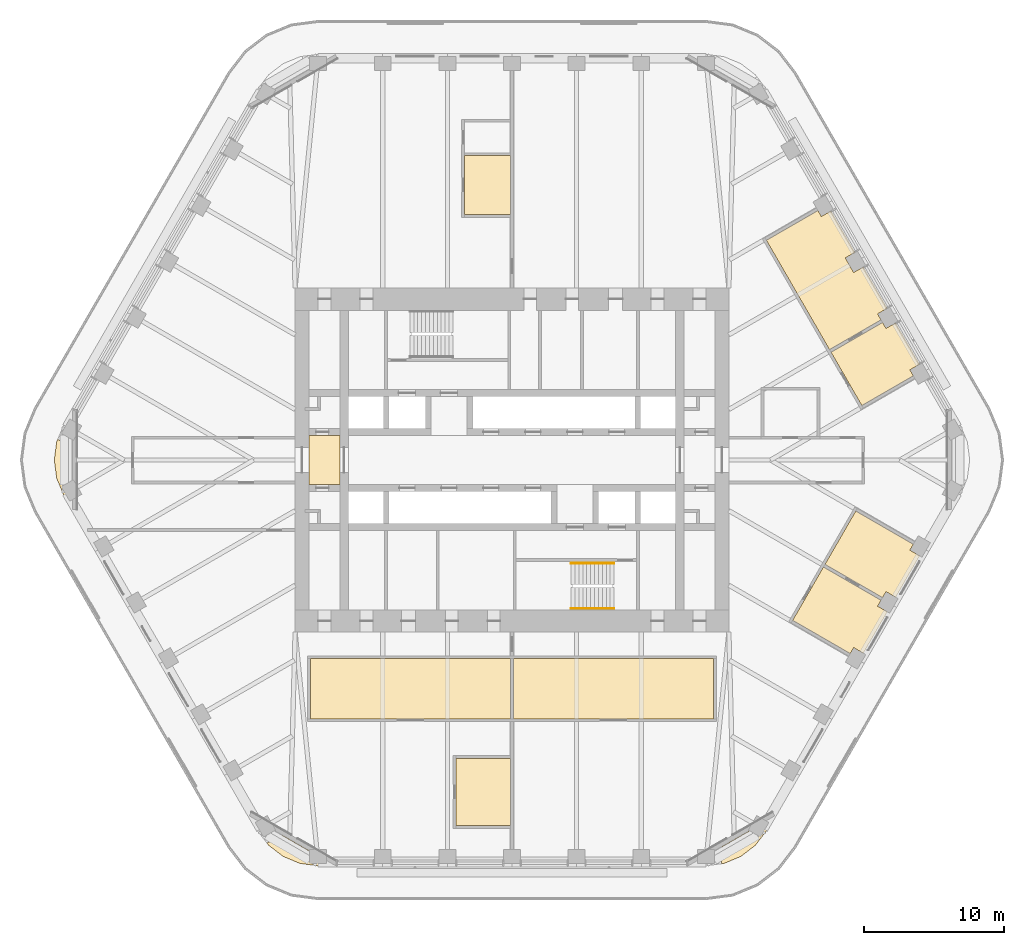
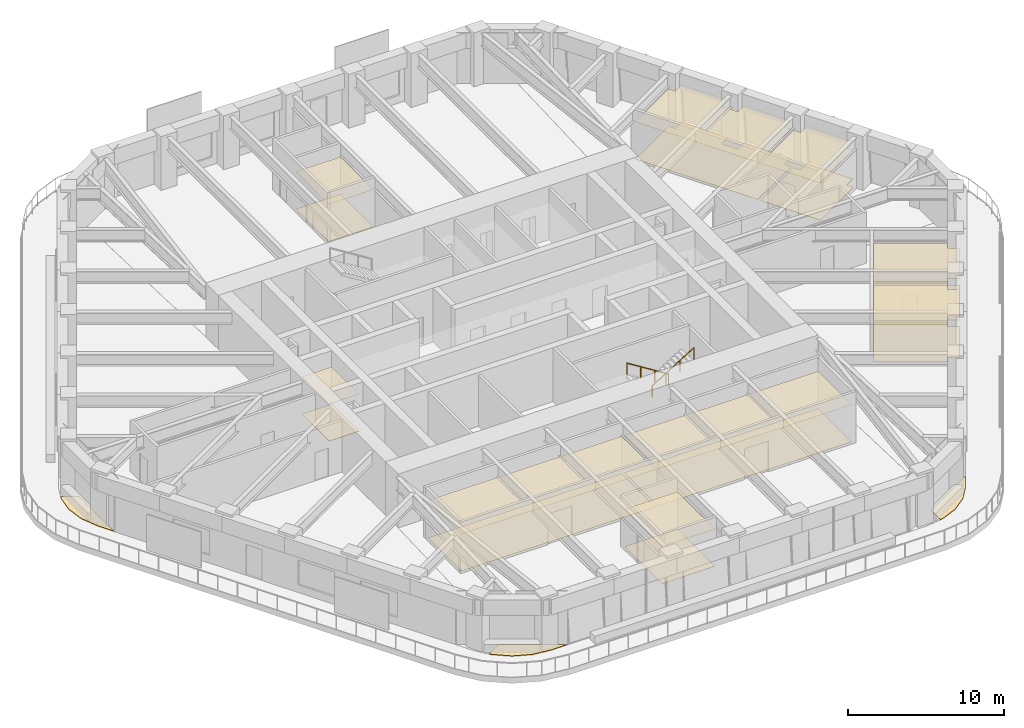
# One storey, part 18 of 20: 7 coverings, 2 railings.
"""IFC4 building model written with IfcOpenShell, lengths in metres."""

from ifc_helpers import new_model, si_unit, direction, frame, origin, origin_2d, place, context, subcontext, project, spatial, polyline, circle, outline, extrude, material, layer, layer_set, type_object, element, save


model = new_model("IFC4")

# Units and contexts
model_context = context("Model", 3, precision=1e-05, world=origin(), true_north=direction((0.0, 1.0)))
body_context = subcontext(model_context, "Body", "Model", "MODEL_VIEW")
ifc_project = project(units=[si_unit("LENGTHUNIT", "METRE"), si_unit("AREAUNIT", "SQUARE_METRE"), si_unit("VOLUMEUNIT", "CUBIC_METRE"), si_unit("PLANEANGLEUNIT", "RADIAN"), si_unit("MASSUNIT", "GRAM", prefix="KILO")], contexts=[model_context])

# Site, building, storey
site_placement = place(None, origin())
site = spatial("IfcSite", under=ifc_project, at=site_placement, CompositionType="ELEMENT")
building_placement = place(site_placement, origin())
building = spatial("IfcBuilding", under=site, at=building_placement, Name="Tarfa Lantern Tower", CompositionType="ELEMENT")
storey_placement = place(building_placement, frame((0.0, 0.0, 265.89990234375)))
storey = spatial("IfcBuildingStorey", under=building, at=storey_placement, Name="L60", CompositionType="ELEMENT", Elevation=265.89990234375)

# Coverings
ifc_material_1 = material(Name="Mineral fibre acoustic tile on suspension grid", Category="finish")
ifc_layer_1 = layer(ifc_material_1, 0.02001953125)
ifc_layer_set_1 = layer_set([ifc_layer_1], Name="CL1 ACOUSTIC TILE CEILING 20")
covering_type_1 = type_object("IfcCoveringType", Name="CL1 ACOUSTIC TILE CEILING 20", PredefinedType="CEILING", material=ifc_layer_set_1)
covering_1_placement = place(storey_placement, frame((0.0, 0.0, 2.900146484375)))
element("IfcCovering", 1, at=covering_1_placement, inside=storey, type_object=covering_type_1, Name="Ceiling L60 CL1", PredefinedType="CEILING", context=body_context, shape_type="SweptSolid", body=[
    extrude(outline(polyline([(0.10009765625, -14.199951171875), (14.39990234375, -14.199951171875), (14.39990234375, -18.5), (0.10009765625, -18.5), (0.10009765625, -14.199951171875)])), origin(), (0.0, 0.0, 1.0), 0.02001953125),
    extrude(outline(polyline([(-14.39990234375, -14.199951171875), (-0.10009765625, -14.199951171875), (-0.10009765625, -18.5), (-14.39990234375, -18.5), (-14.39990234375, -14.199951171875)])), origin(), (0.0, 0.0, 1.0), 0.02001953125),
    extrude(outline(polyline([(22.797607421875, 7.71337890625), (26.478271484375, 9.83837890625), (26.728271484375, 9.4052734375), (27.421142578125, 9.805419921875), (29.13037109375, 6.8447265625), (28.4375, 6.444580078125), (28.6875, 6.01171875), (25.007080078125, 3.88671875), (22.797607421875, 7.71337890625)])), origin(), (0.0, 0.0, 1.0), 0.02001953125),
    extrude(outline(polyline([(18.1787109375, 15.71337890625), (21.859375, 17.83837890625), (22.109375, 17.4052734375), (22.80224609375, 17.805419921875), (24.51171875, 14.8447265625), (23.81884765625, 14.444580078125), (24.418701171875, 13.4052734375), (25.111572265625, 13.805419921875), (26.821044921875, 10.8447265625), (26.128173828125, 10.444580078125), (26.378173828125, 10.01171875), (22.697509765625, 7.88671875), (18.1787109375, 15.71337890625)])), origin(), (0.0, 0.0, 1.0), 0.02001953125),
    extrude(outline(polyline([(22.2646484375, -7.63671875), (26.378173828125, -10.01171875), (26.128173828125, -10.444580078125), (26.821044921875, -10.8447265625), (25.111572265625, -13.805419921875), (24.418701171875, -13.4052734375), (24.168701171875, -13.83837890625), (20.05517578125, -11.46337890625), (22.2646484375, -7.63671875)])), origin(), (0.0, 0.0, 1.0), 0.02001953125),
    extrude(outline(polyline([(24.573974609375, -3.63671875), (28.6875, -6.01171875), (28.4375, -6.444580078125), (29.13037109375, -6.8447265625), (27.421142578125, -9.805419921875), (26.728271484375, -9.4052734375), (26.478271484375, -9.83837890625), (22.364501953125, -7.46337890625), (24.573974609375, -3.63671875)])), origin(), (0.0, 0.0, 1.0), 0.02001953125),
    extrude(outline(polyline([(-3.39990234375, 21.75244140625), (-0.10009765625, 21.75244140625), (-0.10009765625, 17.552490234375), (-3.39990234375, 17.552490234375), (-3.39990234375, 21.75244140625)])), origin(), (0.0, 0.0, 1.0), 0.02001953125),
    extrude(outline(polyline([(-4.0, -26.132568359375), (-4.0, -21.33251953125), (-0.10009765625, -21.33251953125), (-0.10009765625, -26.132568359375), (-4.0, -26.132568359375)])), origin(), (0.0, 0.0, 1.0), 0.02001953125),
])
ifc_material_2 = material(Name="Powder-coated aluminium panel", Category="aluminium")
ifc_layer_2 = layer(ifc_material_2, 0.030029296875)
ifc_layer_set_2 = layer_set([ifc_layer_2], Name="CL3 METAL PANEL CEILING 30")
covering_type_2 = type_object("IfcCoveringType", Name="CL3 METAL PANEL CEILING 30", PredefinedType="CEILING", material=ifc_layer_set_2)
covering_2_placement = place(storey_placement, frame((0.0, 0.0, 2.900146484375)))
element("IfcCovering", 2, at=covering_2_placement, inside=storey, type_object=covering_type_2, Name="Ceiling L60-01", PredefinedType="CEILING", context=body_context, shape_type="SweptSolid", body=[
    extrude(outline(polyline([(-14.5, -1.75), (-12.300048828125, -1.75), (-12.300048828125, 1.75), (-14.5, 1.75), (-14.5, -1.75)])), origin(), (0.0, 0.0, 1.0), 0.030029296875),
])
ifc_material_3 = material(Name="Nylon carpet tile", Category="finish")
ifc_layer_3 = layer(ifc_material_3, 0.010009765625)
ifc_layer_set_3 = layer_set([ifc_layer_3], Name="FL1 CARPET TILE 10")
covering_type_3 = type_object("IfcCoveringType", Name="FL1 CARPET TILE 10", PredefinedType="FLOORING", material=ifc_layer_set_3)
covering_3_placement = place(storey_placement, origin())
element("IfcCovering", 3, at=covering_3_placement, inside=storey, type_object=covering_type_3, Name="Floor finish L60 FL1", PredefinedType="FLOORING", context=body_context, shape_type="SweptSolid", body=[
    extrude(outline(polyline([(0.10009765625, -14.199951171875), (14.39990234375, -14.199951171875), (14.39990234375, -18.5), (0.10009765625, -18.5), (0.10009765625, -14.199951171875)])), origin(), (0.0, 0.0, 1.0), 0.010009765625),
    extrude(outline(polyline([(-14.39990234375, -14.199951171875), (-0.10009765625, -14.199951171875), (-0.10009765625, -18.5), (-14.39990234375, -18.5), (-14.39990234375, -14.199951171875)])), origin(), (0.0, 0.0, 1.0), 0.010009765625),
    extrude(outline(polyline([(22.797607421875, 7.71337890625), (26.478271484375, 9.83837890625), (26.728271484375, 9.4052734375), (27.421142578125, 9.805419921875), (29.13037109375, 6.8447265625), (28.4375, 6.444580078125), (28.6875, 6.01171875), (25.007080078125, 3.88671875), (22.797607421875, 7.71337890625)])), origin(), (0.0, 0.0, 1.0), 0.010009765625),
    extrude(outline(polyline([(18.1787109375, 15.71337890625), (21.859375, 17.83837890625), (22.109375, 17.4052734375), (22.80224609375, 17.805419921875), (24.51171875, 14.8447265625), (23.81884765625, 14.444580078125), (24.418701171875, 13.4052734375), (25.111572265625, 13.805419921875), (26.821044921875, 10.8447265625), (26.128173828125, 10.444580078125), (26.378173828125, 10.01171875), (22.697509765625, 7.88671875), (18.1787109375, 15.71337890625)])), origin(), (0.0, 0.0, 1.0), 0.010009765625),
    extrude(outline(polyline([(22.2646484375, -7.63671875), (26.378173828125, -10.01171875), (26.128173828125, -10.444580078125), (26.821044921875, -10.8447265625), (25.111572265625, -13.805419921875), (24.418701171875, -13.4052734375), (24.168701171875, -13.83837890625), (20.05517578125, -11.46337890625), (22.2646484375, -7.63671875)])), origin(), (0.0, 0.0, 1.0), 0.010009765625),
    extrude(outline(polyline([(24.573974609375, -3.63671875), (28.6875, -6.01171875), (28.4375, -6.444580078125), (29.13037109375, -6.8447265625), (27.421142578125, -9.805419921875), (26.728271484375, -9.4052734375), (26.478271484375, -9.83837890625), (22.364501953125, -7.46337890625), (24.573974609375, -3.63671875)])), origin(), (0.0, 0.0, 1.0), 0.010009765625),
    extrude(outline(polyline([(-3.39990234375, 21.75244140625), (-0.10009765625, 21.75244140625), (-0.10009765625, 17.552490234375), (-3.39990234375, 17.552490234375), (-3.39990234375, 21.75244140625)])), origin(), (0.0, 0.0, 1.0), 0.010009765625),
    extrude(outline(polyline([(-4.0, -26.132568359375), (-4.0, -21.33251953125), (-0.10009765625, -21.33251953125), (-0.10009765625, -26.132568359375), (-4.0, -26.132568359375)])), origin(), (0.0, 0.0, 1.0), 0.010009765625),
])
ifc_material_4 = material(Name="Honed limestone flooring", Category="masonry")
ifc_layer_4 = layer(ifc_material_4, 0.030029296875)
ifc_layer_set_4 = layer_set([ifc_layer_4], Name="FL2 STONE FLOORING 30")
covering_type_4 = type_object("IfcCoveringType", Name="FL2 STONE FLOORING 30", PredefinedType="FLOORING", material=ifc_layer_set_4)
covering_4_placement = place(storey_placement, origin())
element("IfcCovering", 4, at=covering_4_placement, inside=storey, type_object=covering_type_4, Name="Floor finish L60-01", PredefinedType="FLOORING", context=body_context, shape_type="SweptSolid", body=[
    extrude(outline(polyline([(-14.5, -1.75), (-12.300048828125, -1.75), (-12.300048828125, 1.75), (-14.5, 1.75), (-14.5, -1.75)])), origin(), (0.0, 0.0, 1.0), 0.030029296875),
])

# Railings
ifc_material_5 = material(Name="Stainless steel", Category="steel")
railing_type = type_object("IfcRailingType", Name="HR1 HANDRAIL 900", PredefinedType="HANDRAIL", material=ifc_material_5)
railing_1_placement = place(storey_placement, frame((7.300048828125, -7.3798828125, 0.175048828125)))
element("IfcRailing", 5, at=railing_1_placement, inside=storey, type_object=railing_type, Name="Handrail 1", PredefinedType="HANDRAIL", context=body_context, shape_type="SweptSolid", body=[
    extrude(circle(Radius=0.02392578125, at=origin_2d()), frame((0.0, 0.0, 0.8759765625), z_axis=(-0.847998304005, 0.0, 0.529998940003), x_axis=(0.0, -1.0, 0.0)), (0.0, 0.0, 1.0), 3.632080078125),
    extrude(circle(Radius=0.02099609375, at=origin_2d()), frame((0.0, 0.0, 0.0), z_axis=(0.0, 0.0, 1.0), x_axis=(0.0, -1.0, 0.0)), (0.0, 0.0, 1.0), 0.851806640625),
    extrude(circle(Radius=0.02099609375, at=origin_2d()), frame((-1.026611328125, 0.0, 0.6416015625), z_axis=(0.0, 0.0, 1.0), x_axis=(0.0, -1.0, 0.0)), (0.0, 0.0, 1.0), 0.851806640625),
    extrude(circle(Radius=0.02099609375, at=origin_2d()), frame((-2.053466796875, 0.0, 1.283447265625), z_axis=(0.0, 0.0, 1.0), x_axis=(0.0, -1.0, 0.0)), (0.0, 0.0, 1.0), 0.851806640625),
    extrude(circle(Radius=0.02099609375, at=origin_2d()), frame((-3.080078125, 0.0, 1.925048828125), z_axis=(0.0, 0.0, 1.0), x_axis=(0.0, -1.0, 0.0)), (0.0, 0.0, 1.0), 0.851806640625),
])
railing_2_placement = place(storey_placement, frame((4.219970703125, -10.6201171875, 2.275146484375)))
element("IfcRailing", 6, at=railing_2_placement, inside=storey, type_object=railing_type, Name="Handrail 2", PredefinedType="HANDRAIL", context=body_context, shape_type="SweptSolid", body=[
    extrude(circle(Radius=0.02392578125, at=origin_2d()), frame((0.0, 0.0, 0.8759765625), z_axis=(0.847998304005, 0.0, 0.529998940003), x_axis=(0.0, 1.0, 0.0)), (0.0, 0.0, 1.0), 3.632080078125),
    extrude(circle(Radius=0.02099609375, at=origin_2d()), frame((0.0, 0.0, 0.0), z_axis=(0.0, 0.0, 1.0), x_axis=(0.0, 1.0, 0.0)), (0.0, 0.0, 1.0), 0.851806640625),
    extrude(circle(Radius=0.02099609375, at=origin_2d()), frame((1.026611328125, 0.0, 0.6416015625), z_axis=(0.0, 0.0, 1.0), x_axis=(0.0, 1.0, 0.0)), (0.0, 0.0, 1.0), 0.851806640625),
    extrude(circle(Radius=0.02099609375, at=origin_2d()), frame((2.053466796875, 0.0, 1.283447265625), z_axis=(0.0, 0.0, 1.0), x_axis=(0.0, 1.0, 0.0)), (0.0, 0.0, 1.0), 0.851806640625),
    extrude(circle(Radius=0.02099609375, at=origin_2d()), frame((3.080078125, 0.0, 1.925048828125), z_axis=(0.0, 0.0, 1.0), x_axis=(0.0, 1.0, 0.0)), (0.0, 0.0, 1.0), 0.851806640625),
])

# Coverings
ifc_material_6 = material(Name="Porcelain pavers on pedestals", Category="ceramic")
ifc_layer_5 = layer(ifc_material_6, 0.0400390625)
ifc_layer_set_5 = layer_set([ifc_layer_5], Name="LP1 LOGGIA PAVING 40")
covering_type_5 = type_object("IfcCoveringType", Name="LP1 LOGGIA PAVING 40", PredefinedType="FLOORING", material=ifc_layer_set_5)
covering_5_placement = place(storey_placement, origin())
element("IfcCovering", 7, at=covering_5_placement, inside=storey, type_object=covering_type_5, Name="Sky garden paving NW-SW", PredefinedType="FLOORING", context=body_context, shape_type="SweptSolid", body=[
    extrude(outline(polyline([(-32.54248046875, -1.294189453125), (-32.712890625, 0.0), (-32.54248046875, 1.294189453125), (-32.467529296875, 1.474853515625), (-31.43310546875, 0.877685546875), (-31.43310546875, -3.55078125), (-31.436279296875, -3.55078125), (-32.04296875, -2.5), (-32.54248046875, -1.294189453125)])), origin(), (0.0, 0.0, 1.0), 0.0400390625),
])
covering_6_placement = place(storey_placement, origin())
element("IfcCovering", 8, at=covering_6_placement, inside=storey, type_object=covering_type_5, Name="Sky garden paving SW-S", PredefinedType="FLOORING", context=body_context, shape_type="SweptSolid", body=[
    extrude(outline(polyline([(-15.150390625, -28.82958984375), (-16.3564453125, -28.330078125), (-17.391845703125, -27.53564453125), (-17.51123046875, -27.380126953125), (-16.4765625, -26.782958984375), (-12.641357421875, -28.997314453125), (-12.64306640625, -29.0), (-13.8564453125, -29.0), (-15.150390625, -28.82958984375)])), origin(), (0.0, 0.0, 1.0), 0.0400390625),
])
covering_7_placement = place(storey_placement, origin())
element("IfcCovering", 9, at=covering_7_placement, inside=storey, type_object=covering_type_5, Name="Sky garden paving S-SE", PredefinedType="FLOORING", context=body_context, shape_type="SweptSolid", body=[
    extrude(outline(polyline([(17.391845703125, -27.53564453125), (16.3564453125, -28.330078125), (15.150390625, -28.82958984375), (14.956298828125, -28.855224609375), (14.956298828125, -27.66064453125), (18.791748046875, -25.4462890625), (18.793212890625, -25.44921875), (18.1865234375, -26.5), (17.391845703125, -27.53564453125)])), origin(), (0.0, 0.0, 1.0), 0.0400390625),
])

save(model, "model.ifc")
